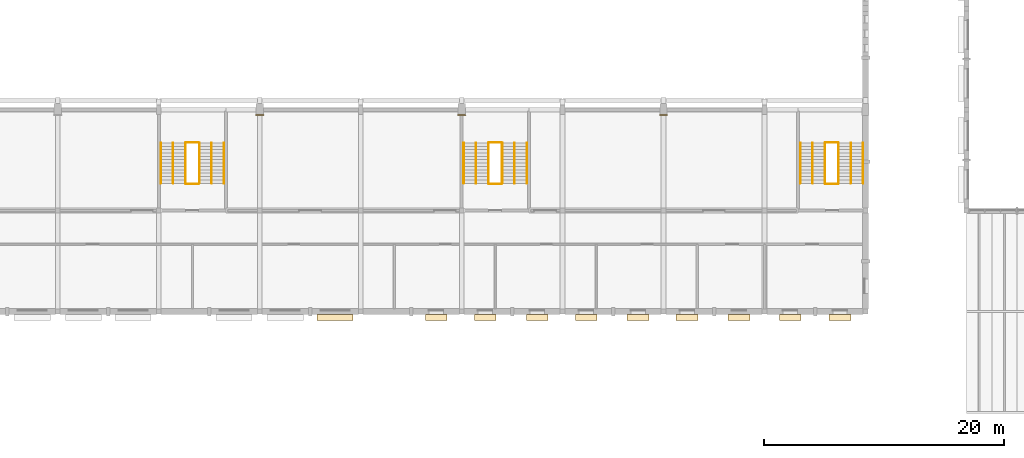
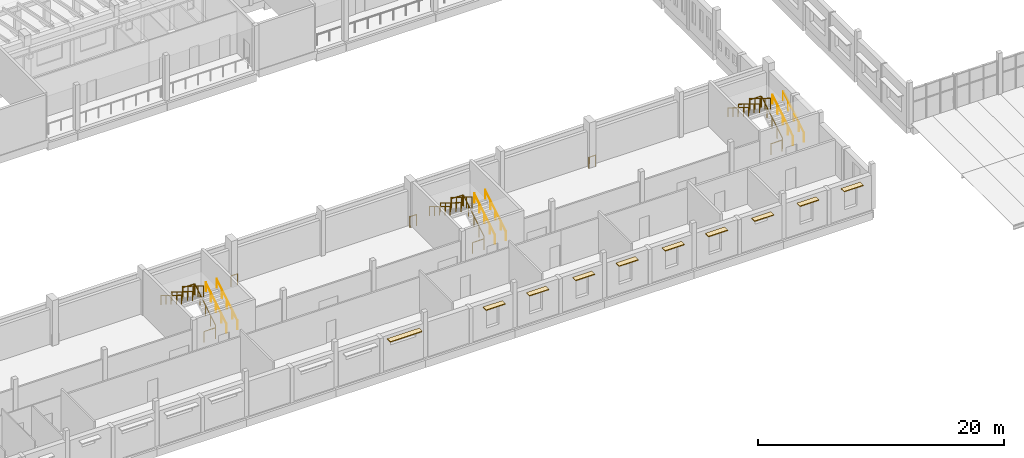
# One storey, part 53 of 60: 27 railings, 10 coverings.
"""IFC4 building model written with IfcOpenShell, lengths in metres."""

import ifcopenshell
import ifcopenshell.guid

model = None  # the IFC model being written
_history = None  # IfcOwnerHistory: only IFC2X3 demands one
_inside = {}  # id of a spatial element -> (the spatial element, [elements in it])
_under = {}  # id of a project, library or spatial element -> (it, [spatial elements below it])
_declared = {}  # id of a project -> (the project, [libraries it declares])
_typed = {}  # id of a type object -> (the type object, [elements of that type])
_made_of = {}  # id of a material, layer set ... -> (it, [elements and type objects made of it])


def new_model(schema):
    """Start an empty IFC model of exactly this schema.

    Asked for "IFC4X3", IfcOpenShell would pick the latest addendum, in which some entities
    have other attributes; the version numbers below select the first issue.
    IFC2X3 requires an IfcOwnerHistory on every rooted entity: one is made here for all.
    """
    global model, _history
    if schema == "IFC4X3":
        model = ifcopenshell.file(schema_version=(4, 3, 0, 0))
    else:
        model = ifcopenshell.file(schema=schema)
    _inside.clear()
    _under.clear()
    _declared.clear()
    _typed.clear()
    _made_of.clear()
    _history = None
    if model.schema == "IFC2X3":
        org = make("IfcOrganization", Name="unknown")
        user = make(
            "IfcPersonAndOrganization",
            ThePerson=make("IfcPerson", FamilyName="unknown"),
            TheOrganization=org,
        )
        app = make(
            "IfcApplication",
            ApplicationDeveloper=org,
            Version="unknown",
            ApplicationFullName="unknown",
            ApplicationIdentifier="unknown",
        )
        _history = make(
            "IfcOwnerHistory",
            OwningUser=user,
            OwningApplication=app,
            ChangeAction="ADDED",
            CreationDate=0,
        )
    return model


def make(cls, **values):
    """One entity of the class cls with the attributes given. An attribute that is None is left unset."""
    return model.create_entity(
        cls, **{name: value for name, value in values.items() if value is not None}
    )


def rooted(cls, **values):
    """An entity with a GlobalId (a new one), such as an element, a storey or a relation."""
    return make(cls, GlobalId=ifcopenshell.guid.new(), OwnerHistory=_history, **values)


def si_unit(unit_type, name, prefix=None):
    """IfcSIUnit, for example si_unit("LENGTHUNIT", "METRE", prefix="MILLI")."""
    return make("IfcSIUnit", UnitType=unit_type, Prefix=prefix, Name=name)


def assignment(units):
    """IfcUnitAssignment: the units of a project."""
    return None if units is None else make("IfcUnitAssignment", Units=units)


def point(xyz):
    """IfcCartesianPoint."""
    return None if xyz is None else make("IfcCartesianPoint", Coordinates=xyz)


def direction(xyz):
    """IfcDirection."""
    return None if xyz is None else make("IfcDirection", DirectionRatios=xyz)


def frame(location, z_axis=None, x_axis=None):
    """IfcAxis2Placement3D, a coordinate frame: its origin and axes. An axis left out is left unset."""
    return make(
        "IfcAxis2Placement3D",
        Location=point(location),
        Axis=direction(z_axis),
        RefDirection=direction(x_axis),
    )


def frame_2d(location, x_axis=None):
    """IfcAxis2Placement2D, a coordinate frame in the plane: its origin and x axis."""
    return make(
        "IfcAxis2Placement2D", Location=point(location), RefDirection=direction(x_axis)
    )


def origin():
    """The frame at (0, 0, 0) with its axes left unset."""
    return frame((0.0, 0.0, 0.0))


def origin_2d():
    """The frame at (0, 0) in the plane with its x axis left unset."""
    return frame_2d((0.0, 0.0))


def place(relative_to, where):
    """IfcLocalPlacement: puts the frame where relative to a parent placement (None: the world)."""
    return make(
        "IfcLocalPlacement", PlacementRelTo=relative_to, RelativePlacement=where
    )


def context(
    kind, dimensions, precision=None, world=None, true_north=None, identifier=None
):
    """IfcGeometricRepresentationContext, for example the 3D "Model" context."""
    return make(
        "IfcGeometricRepresentationContext",
        ContextIdentifier=identifier,
        ContextType=kind,
        CoordinateSpaceDimension=dimensions,
        Precision=precision,
        WorldCoordinateSystem=world,
        TrueNorth=true_north,
    )


def subcontext(parent, identifier, kind, view, scale=None):
    """IfcGeometricRepresentationSubContext, for example "Body" below "Model"."""
    return make(
        "IfcGeometricRepresentationSubContext",
        ContextIdentifier=identifier,
        ContextType=kind,
        ParentContext=parent,
        TargetScale=scale,
        TargetView=view,
    )


def project(units=None, contexts=None):
    """IfcProject with its units and contexts."""
    return rooted(
        "IfcProject",
        Name="project",
        RepresentationContexts=contexts,
        UnitsInContext=assignment(units),
    )


def spatial(cls, under=None, at=None, **own):
    """A site, building, storey or space (cls), placed at a placement, below another one or the project."""
    s = rooted(cls, ObjectPlacement=at, **own)
    if under is not None:
        _under.setdefault(under.id(), (under, []))[1].append(s)
    return s


def profile(cls, at=None, kind="AREA", **sizes):
    """A parametric profile (cls). Its sizes go by their IFC names, for example OverallWidth=200.0."""
    return make(cls, ProfileType=kind, Position=at, **sizes)


def rectangle(**sizes):
    """IfcRectangleProfileDef."""
    return profile("IfcRectangleProfileDef", **sizes)


def circle(**sizes):
    """IfcCircleProfileDef."""
    return profile("IfcCircleProfileDef", **sizes)


def extrude(swept, where, along, depth):
    """IfcExtrudedAreaSolid: the profile swept, set in the frame where, extruded along a direction by depth."""
    return make(
        "IfcExtrudedAreaSolid",
        SweptArea=swept,
        Position=where,
        ExtrudedDirection=direction(along),
        Depth=depth,
    )


def shape(context_of_items, identifier, shape_type, items):
    """IfcShapeRepresentation: the items that make up one representation, for example the "Body"."""
    return make(
        "IfcShapeRepresentation",
        ContextOfItems=context_of_items,
        RepresentationIdentifier=identifier,
        RepresentationType=shape_type,
        Items=items,
    )


def material(Name=None, Category=None):
    """IfcMaterial."""
    return make("IfcMaterial", Name=Name, Category=Category)


def layer(
    of_material, thickness, ventilated=None, Name=None, Category=None, Priority=None
):
    """IfcMaterialLayer: one layer of a wall or slab, of a material (None: an air gap)."""
    return make(
        "IfcMaterialLayer",
        Material=of_material,
        LayerThickness=thickness,
        IsVentilated=ventilated,
        Name=Name,
        Category=Category,
        Priority=Priority,
    )


def layer_set(layers, Name=None):
    """IfcMaterialLayerSet."""
    return make("IfcMaterialLayerSet", MaterialLayers=layers, LayerSetName=Name)


def made_of(thing, what):
    """Note that an element or type object is made of a material, layer set ...; save() writes the relation."""
    if what is not None:
        _made_of.setdefault(what.id(), (what, []))[1].append(thing)
    return thing


def type_object(cls, material=None, **own):
    """A type object (cls), such as IfcWallType, which elements share."""
    return made_of(rooted(cls, **own), material)


def element(
    cls,
    number,
    at=None,
    inside=None,
    cuts=None,
    type_object=None,
    material=None,
    context=None,
    identifier="Body",
    shape_type=None,
    held_by="IfcProductDefinitionShape",
    body=None,
    shapes=None,
    **own,
):
    """One element of the class cls, such as IfcWall. Its Tag is "e" and its number.

    at: its placement. inside: the storey or other place that contains it. cuts: it is an
    opening in that element (IfcRelVoidsElement). A single representation is given by context,
    identifier, shape_type and body (its items); several are given by shapes. held_by: the class
    of the entity that holds the representations. save() writes the other relations.
    """
    e = rooted(cls, Tag="e%d" % number, ObjectPlacement=at, **own)
    if body is not None:
        shapes = [shape(context, identifier, shape_type, body)]
    if shapes is not None:
        e.Representation = make(held_by, Representations=shapes)
    if inside is not None:
        _inside.setdefault(inside.id(), (inside, []))[1].append(e)
    if cuts is not None:
        rooted(
            "IfcRelVoidsElement", RelatingBuildingElement=cuts, RelatedOpeningElement=e
        )
    if type_object is not None:
        _typed.setdefault(type_object.id(), (type_object, []))[1].append(e)
    return made_of(e, material)


def aggregate(whole, parts):
    """IfcRelAggregates: a whole, such as a stair, and the parts it consists of."""
    return rooted("IfcRelAggregates", RelatingObject=whole, RelatedObjects=parts)


def save(model, path):
    """Write the relations noted so far, then the file.

    IfcRelAggregates (storeys below a building ...), IfcRelContainedInSpatialStructure (elements
    in a storey), IfcRelDefinesByType, IfcRelAssociatesMaterial and IfcRelDeclares: one each for
    every whole, place, type object, material and project.
    """
    for whole, parts in _under.values():
        aggregate(whole, parts)
    for where, things in _inside.values():
        rooted(
            "IfcRelContainedInSpatialStructure",
            RelatedElements=things,
            RelatingStructure=where,
        )
    for kind, things in _typed.values():
        rooted("IfcRelDefinesByType", RelatedObjects=things, RelatingType=kind)
    for what, things in _made_of.values():
        rooted("IfcRelAssociatesMaterial", RelatedObjects=things, RelatingMaterial=what)
    for by, libraries in _declared.values():
        rooted("IfcRelDeclares", RelatingContext=by, RelatedDefinitions=libraries)
    model.write(path)


model = new_model("IFC4")

# Units and contexts
model_context = context("Model", 3, precision=1e-05, world=origin(), true_north=direction((0.0, 1.0)))
body_context = subcontext(model_context, "Body", "Model", "MODEL_VIEW")
ifc_project = project(units=[si_unit("LENGTHUNIT", "METRE"), si_unit("AREAUNIT", "SQUARE_METRE"), si_unit("VOLUMEUNIT", "CUBIC_METRE"), si_unit("PLANEANGLEUNIT", "RADIAN"), si_unit("MASSUNIT", "GRAM", prefix="KILO")], contexts=[model_context])

# Site, building, storey
site_placement = place(None, origin())
site = spatial("IfcSite", under=ifc_project, at=site_placement, CompositionType="ELEMENT")
building_placement = place(site_placement, origin())
building = spatial("IfcBuilding", under=site, at=building_placement, Name="Fescue Hill Polytechnic", CompositionType="ELEMENT")
storey_placement = place(building_placement, frame((0.0, 0.0, 4.5)))
storey = spatial("IfcBuildingStorey", under=building, at=storey_placement, Name="L01", CompositionType="ELEMENT", Elevation=4.5)

# Coverings
ifc_material_1 = material(Name="Precast concrete C40/50", Category="concrete")
ifc_layer = layer(ifc_material_1, 0.080078125)
ifc_layer_set = layer_set([ifc_layer], Name="Precast concrete C40/50")
covering_type = type_object("IfcCoveringType", Name="Shade blade precast 500x80", PredefinedType="CLADDING", material=ifc_layer_set)
covering_placement = place(storey_placement, frame((73.47509765625, -0.489990234375, 3.050048828125), z_axis=(0.0, 0.0, 1.0), x_axis=(1.0, 0.0, 0.0)))
element("IfcCovering", 1, at=covering_placement, inside=storey, type_object=covering_type, Name="SB-L01-V1-18", PredefinedType="CLADDING", context=body_context, shape_type="SweptSolid", body=[
    extrude(rectangle(XDim=3.0, YDim=0.5, at=origin_2d()), origin(), (0.0, 0.0, 1.0), 0.080078125),
])
for number, where, z_axis, x_axis, name in (
    (2, (81.875, -0.489990234375, 3.050048828125), (0.0, 0.0, 1.0), (1.0, 0.0, 0.0), "SB-L01-V1-19"),
    (3, (85.949951171875, -0.489990234375, 3.050048828125), (0.0, 0.0, 1.0), (1.0, 0.0, 0.0), "SB-L01-V1-20"),
    (4, (90.27490234375, -0.489990234375, 3.050048828125), (0.0, 0.0, 1.0), (1.0, 0.0, 0.0), "SB-L01-V1-21"),
    (5, (94.35009765625, -0.489990234375, 3.050048828125), (0.0, 0.0, 1.0), (1.0, 0.0, 0.0), "SB-L01-V1-22"),
    (6, (98.675048828125, -0.489990234375, 3.050048828125), (0.0, 0.0, 1.0), (1.0, 0.0, 0.0), "SB-L01-V1-23"),
    (7, (102.75, -0.489990234375, 3.050048828125), (0.0, 0.0, 1.0), (1.0, 0.0, 0.0), "SB-L01-V1-24"),
    (8, (107.074951171875, -0.489990234375, 3.050048828125), (0.0, 0.0, 1.0), (1.0, 0.0, 0.0), "SB-L01-V1-25"),
    (9, (111.324951171875, -0.489990234375, 3.050048828125), (0.0, 0.0, 1.0), (1.0, 0.0, 0.0), "SB-L01-V1-26"),
    (10, (115.47509765625, -0.489990234375, 3.050048828125), (0.0, 0.0, 1.0), (1.0, 0.0, 0.0), "SB-L01-V1-27"),
):
    element("IfcCovering", number, at=place(storey_placement, frame(where, z_axis=z_axis, x_axis=x_axis)), inside=storey, type_object=covering_type, Name=name, PredefinedType="CLADDING", context=body_context, shape_type="SweptSolid", body=[
        extrude(rectangle(XDim=1.800048828125, YDim=0.5, at=origin_2d()), origin(), (0.0, 0.0, 1.0), 0.080078125),
    ])

# Railings
ifc_material_2 = material(Name="Steel 350W (350 MPa)", Category="steel")
railing_type_1 = type_object("IfcRailingType", Name="Stair guard steel 1100", PredefinedType="GUARDRAIL", material=ifc_material_2)
railing_1_placement = place(storey_placement, frame((62.175048828125, 10.675048828125, 0.173095703125)))
element("IfcRailing", 11, at=railing_1_placement, inside=storey, type_object=railing_type_1, Name="L01 ST-V1-3 stair guard 1", PredefinedType="GUARDRAIL", context=body_context, shape_type="SweptSolid", body=[
    extrude(circle(Radius=0.02392578125, at=origin_2d()), frame((0.0, 0.0, 1.076171875), z_axis=(0.0, 0.850606129759, 0.525803396734), x_axis=(-1.0, 0.0, 0.0)), (0.0, 0.0, 1.0), 3.949951171875),
    extrude(circle(Radius=0.02099609375, at=origin_2d()), origin(), (0.0, 0.0, 1.0), 1.052001953125),
    extrude(circle(Radius=0.02099609375, at=origin_2d()), frame((0.0, 0.83984375, 0.519287109375)), (0.0, 0.0, 1.0), 1.052001953125),
    extrude(circle(Radius=0.02099609375, at=origin_2d()), frame((0.0, 1.679931640625, 1.03857421875)), (0.0, 0.0, 1.0), 1.052001953125),
    extrude(circle(Radius=0.02099609375, at=origin_2d()), frame((0.0, 2.52001953125, 1.5576171875)), (0.0, 0.0, 1.0), 1.052001953125),
    extrude(circle(Radius=0.02099609375, at=origin_2d()), frame((0.0, 3.35986328125, 2.076904296875)), (0.0, 0.0, 1.0), 1.052001953125),
])
railing_2_placement = place(storey_placement, frame((62.125, 14.0849609375, 2.25)))
element("IfcRailing", 12, at=railing_2_placement, inside=storey, type_object=railing_type_1, Name="L01 ST-V1-3 stair guard 2", PredefinedType="GUARDRAIL", context=body_context, shape_type="SweptSolid", body=[
    extrude(circle(Radius=0.02392578125, at=origin_2d()), frame((0.0, 0.0, 1.076171875), z_axis=(-1.0, 0.0, 0.0), x_axis=(0.0, -1.0, 0.0)), (0.0, 0.0, 1.0), 1.050048828125),
    extrude(circle(Radius=0.02099609375, at=origin_2d()), origin(), (0.0, 0.0, 1.0), 1.052001953125),
    extrude(circle(Radius=0.02099609375, at=origin_2d()), frame((-1.050048828125, 0.0, 0.0)), (0.0, 0.0, 1.0), 1.052001953125),
])
railing_3_placement = place(storey_placement, frame((61.02490234375, 14.034912109375, 2.423095703125)))
element("IfcRailing", 13, at=railing_3_placement, inside=storey, type_object=railing_type_1, Name="L01 ST-V1-3 stair guard 3", PredefinedType="GUARDRAIL", context=body_context, shape_type="SweptSolid", body=[
    extrude(circle(Radius=0.02392578125, at=origin_2d()), frame((0.0, 0.0, 1.076171875), z_axis=(0.0, -0.850606129759, 0.525803396734), x_axis=(1.0, 0.0, 0.0)), (0.0, 0.0, 1.0), 3.949951171875),
    extrude(circle(Radius=0.02099609375, at=origin_2d()), origin(), (0.0, 0.0, 1.0), 1.052001953125),
    extrude(circle(Radius=0.02099609375, at=origin_2d()), frame((0.0, -0.83984375, 0.519287109375)), (0.0, 0.0, 1.0), 1.052001953125),
    extrude(circle(Radius=0.02099609375, at=origin_2d()), frame((0.0, -1.679931640625, 1.03857421875)), (0.0, 0.0, 1.0), 1.052001953125),
    extrude(circle(Radius=0.02099609375, at=origin_2d()), frame((0.0, -2.52001953125, 1.5576171875)), (0.0, 0.0, 1.0), 1.052001953125),
    extrude(circle(Radius=0.02099609375, at=origin_2d()), frame((0.0, -3.35986328125, 2.076904296875)), (0.0, 0.0, 1.0), 1.052001953125),
])
railing_4_placement = place(storey_placement, frame((62.125, 10.625, 0.0)))
element("IfcRailing", 14, at=railing_4_placement, inside=storey, type_object=railing_type_1, Name="L01 ST-V1-3 stair guard 4", PredefinedType="GUARDRAIL", context=body_context, shape_type="SweptSolid", body=[
    extrude(circle(Radius=0.02392578125, at=origin_2d()), frame((0.0, 0.0, 1.076171875), z_axis=(-1.0, 0.0, 0.0), x_axis=(0.0, -1.0, 0.0)), (0.0, 0.0, 1.0), 1.050048828125),
    extrude(circle(Radius=0.02099609375, at=origin_2d()), origin(), (0.0, 0.0, 1.0), 1.052001953125),
    extrude(circle(Radius=0.02099609375, at=origin_2d()), frame((-1.050048828125, 0.0, 0.0)), (0.0, 0.0, 1.0), 1.052001953125),
])
railing_5_placement = place(storey_placement, frame((87.375, 10.675048828125, 0.173095703125)))
element("IfcRailing", 15, at=railing_5_placement, inside=storey, type_object=railing_type_1, Name="L01 ST-V1-4 stair guard 1", PredefinedType="GUARDRAIL", context=body_context, shape_type="SweptSolid", body=[
    extrude(circle(Radius=0.02392578125, at=origin_2d()), frame((0.0, 0.0, 1.076171875), z_axis=(0.0, 0.850606129759, 0.525803396734), x_axis=(-1.0, 0.0, 0.0)), (0.0, 0.0, 1.0), 3.949951171875),
    extrude(circle(Radius=0.02099609375, at=origin_2d()), origin(), (0.0, 0.0, 1.0), 1.052001953125),
    extrude(circle(Radius=0.02099609375, at=origin_2d()), frame((0.0, 0.83984375, 0.519287109375)), (0.0, 0.0, 1.0), 1.052001953125),
    extrude(circle(Radius=0.02099609375, at=origin_2d()), frame((0.0, 1.679931640625, 1.03857421875)), (0.0, 0.0, 1.0), 1.052001953125),
    extrude(circle(Radius=0.02099609375, at=origin_2d()), frame((0.0, 2.52001953125, 1.5576171875)), (0.0, 0.0, 1.0), 1.052001953125),
    extrude(circle(Radius=0.02099609375, at=origin_2d()), frame((0.0, 3.35986328125, 2.076904296875)), (0.0, 0.0, 1.0), 1.052001953125),
])
railing_6_placement = place(storey_placement, frame((87.324951171875, 14.0849609375, 2.25)))
element("IfcRailing", 16, at=railing_6_placement, inside=storey, type_object=railing_type_1, Name="L01 ST-V1-4 stair guard 2", PredefinedType="GUARDRAIL", context=body_context, shape_type="SweptSolid", body=[
    extrude(circle(Radius=0.02392578125, at=origin_2d()), frame((0.0, 0.0, 1.076171875), z_axis=(-1.0, 0.0, 0.0), x_axis=(0.0, -1.0, 0.0)), (0.0, 0.0, 1.0), 1.050048828125),
    extrude(circle(Radius=0.02099609375, at=origin_2d()), origin(), (0.0, 0.0, 1.0), 1.052001953125),
    extrude(circle(Radius=0.02099609375, at=origin_2d()), frame((-1.050048828125, 0.0, 0.0)), (0.0, 0.0, 1.0), 1.052001953125),
])
railing_7_placement = place(storey_placement, frame((86.22509765625, 14.034912109375, 2.423095703125)))
element("IfcRailing", 17, at=railing_7_placement, inside=storey, type_object=railing_type_1, Name="L01 ST-V1-4 stair guard 3", PredefinedType="GUARDRAIL", context=body_context, shape_type="SweptSolid", body=[
    extrude(circle(Radius=0.02392578125, at=origin_2d()), frame((0.0, 0.0, 1.076171875), z_axis=(0.0, -0.850606129759, 0.525803396734), x_axis=(1.0, 0.0, 0.0)), (0.0, 0.0, 1.0), 3.949951171875),
    extrude(circle(Radius=0.02099609375, at=origin_2d()), origin(), (0.0, 0.0, 1.0), 1.052001953125),
    extrude(circle(Radius=0.02099609375, at=origin_2d()), frame((0.0, -0.83984375, 0.519287109375)), (0.0, 0.0, 1.0), 1.052001953125),
    extrude(circle(Radius=0.02099609375, at=origin_2d()), frame((0.0, -1.679931640625, 1.03857421875)), (0.0, 0.0, 1.0), 1.052001953125),
    extrude(circle(Radius=0.02099609375, at=origin_2d()), frame((0.0, -2.52001953125, 1.5576171875)), (0.0, 0.0, 1.0), 1.052001953125),
    extrude(circle(Radius=0.02099609375, at=origin_2d()), frame((0.0, -3.35986328125, 2.076904296875)), (0.0, 0.0, 1.0), 1.052001953125),
])
railing_8_placement = place(storey_placement, frame((87.324951171875, 10.625, 0.0)))
element("IfcRailing", 18, at=railing_8_placement, inside=storey, type_object=railing_type_1, Name="L01 ST-V1-4 stair guard 4", PredefinedType="GUARDRAIL", context=body_context, shape_type="SweptSolid", body=[
    extrude(circle(Radius=0.02392578125, at=origin_2d()), frame((0.0, 0.0, 1.076171875), z_axis=(-1.0, 0.0, 0.0), x_axis=(0.0, -1.0, 0.0)), (0.0, 0.0, 1.0), 1.050048828125),
    extrude(circle(Radius=0.02099609375, at=origin_2d()), origin(), (0.0, 0.0, 1.0), 1.052001953125),
    extrude(circle(Radius=0.02099609375, at=origin_2d()), frame((-1.050048828125, 0.0, 0.0)), (0.0, 0.0, 1.0), 1.052001953125),
])
railing_9_placement = place(storey_placement, frame((115.35009765625, 10.675048828125, 0.173095703125)))
element("IfcRailing", 19, at=railing_9_placement, inside=storey, type_object=railing_type_1, Name="L01 ST-V1-10 stair guard 1", PredefinedType="GUARDRAIL", context=body_context, shape_type="SweptSolid", body=[
    extrude(circle(Radius=0.02392578125, at=origin_2d()), frame((0.0, 0.0, 1.076171875), z_axis=(0.0, 0.850606129759, 0.525803396734), x_axis=(-1.0, 0.0, 0.0)), (0.0, 0.0, 1.0), 3.949951171875),
    extrude(circle(Radius=0.02099609375, at=origin_2d()), origin(), (0.0, 0.0, 1.0), 1.052001953125),
    extrude(circle(Radius=0.02099609375, at=origin_2d()), frame((0.0, 0.83984375, 0.519287109375)), (0.0, 0.0, 1.0), 1.052001953125),
    extrude(circle(Radius=0.02099609375, at=origin_2d()), frame((0.0, 1.679931640625, 1.03857421875)), (0.0, 0.0, 1.0), 1.052001953125),
    extrude(circle(Radius=0.02099609375, at=origin_2d()), frame((0.0, 2.52001953125, 1.5576171875)), (0.0, 0.0, 1.0), 1.052001953125),
    extrude(circle(Radius=0.02099609375, at=origin_2d()), frame((0.0, 3.35986328125, 2.076904296875)), (0.0, 0.0, 1.0), 1.052001953125),
])
railing_10_placement = place(storey_placement, frame((115.300048828125, 14.0849609375, 2.25)))
element("IfcRailing", 20, at=railing_10_placement, inside=storey, type_object=railing_type_1, Name="L01 ST-V1-10 stair guard 2", PredefinedType="GUARDRAIL", context=body_context, shape_type="SweptSolid", body=[
    extrude(circle(Radius=0.02392578125, at=origin_2d()), frame((0.0, 0.0, 1.076171875), z_axis=(-1.0, 0.0, 0.0), x_axis=(0.0, -1.0, 0.0)), (0.0, 0.0, 1.0), 1.025146484375),
    extrude(circle(Radius=0.02099609375, at=origin_2d()), origin(), (0.0, 0.0, 1.0), 1.052001953125),
    extrude(circle(Radius=0.02099609375, at=origin_2d()), frame((-1.025146484375, 0.0, 0.0)), (0.0, 0.0, 1.0), 1.052001953125),
])
railing_11_placement = place(storey_placement, frame((114.22509765625, 14.034912109375, 2.423095703125)))
element("IfcRailing", 21, at=railing_11_placement, inside=storey, type_object=railing_type_1, Name="L01 ST-V1-10 stair guard 3", PredefinedType="GUARDRAIL", context=body_context, shape_type="SweptSolid", body=[
    extrude(circle(Radius=0.02392578125, at=origin_2d()), frame((0.0, 0.0, 1.076171875), z_axis=(0.0, -0.850606129759, 0.525803396734), x_axis=(1.0, 0.0, 0.0)), (0.0, 0.0, 1.0), 3.949951171875),
    extrude(circle(Radius=0.02099609375, at=origin_2d()), origin(), (0.0, 0.0, 1.0), 1.052001953125),
    extrude(circle(Radius=0.02099609375, at=origin_2d()), frame((0.0, -0.83984375, 0.519287109375)), (0.0, 0.0, 1.0), 1.052001953125),
    extrude(circle(Radius=0.02099609375, at=origin_2d()), frame((0.0, -1.679931640625, 1.03857421875)), (0.0, 0.0, 1.0), 1.052001953125),
    extrude(circle(Radius=0.02099609375, at=origin_2d()), frame((0.0, -2.52001953125, 1.5576171875)), (0.0, 0.0, 1.0), 1.052001953125),
    extrude(circle(Radius=0.02099609375, at=origin_2d()), frame((0.0, -3.35986328125, 2.076904296875)), (0.0, 0.0, 1.0), 1.052001953125),
])
railing_12_placement = place(storey_placement, frame((115.300048828125, 10.625, 0.0)))
element("IfcRailing", 22, at=railing_12_placement, inside=storey, type_object=railing_type_1, Name="L01 ST-V1-10 stair guard 4", PredefinedType="GUARDRAIL", context=body_context, shape_type="SweptSolid", body=[
    extrude(circle(Radius=0.02392578125, at=origin_2d()), frame((0.0, 0.0, 1.076171875), z_axis=(-1.0, 0.0, 0.0), x_axis=(0.0, -1.0, 0.0)), (0.0, 0.0, 1.0), 1.025146484375),
    extrude(circle(Radius=0.02099609375, at=origin_2d()), origin(), (0.0, 0.0, 1.0), 1.052001953125),
    extrude(circle(Radius=0.02099609375, at=origin_2d()), frame((-1.025146484375, 0.0, 0.0)), (0.0, 0.0, 1.0), 1.052001953125),
])
railing_type_2 = type_object("IfcRailingType", Name="Stair handrail steel 900", PredefinedType="HANDRAIL", material=ifc_material_2)
railing_13_placement = place(storey_placement, frame((64.22509765625, 10.675048828125, 0.173095703125)))
element("IfcRailing", 23, at=railing_13_placement, inside=storey, type_object=railing_type_2, Name="L01 ST-V1-3 stair handrail 1", PredefinedType="HANDRAIL", context=body_context, shape_type="SweptSolid", body=[
    extrude(circle(Radius=0.02392578125, at=origin_2d()), frame((0.0, 0.0, 0.8759765625), z_axis=(0.0, 0.850606129759, 0.525803396734), x_axis=(-1.0, 0.0, 0.0)), (0.0, 0.0, 1.0), 3.949951171875),
    extrude(circle(Radius=0.02099609375, at=origin_2d()), origin(), (0.0, 0.0, 1.0), 0.851806640625),
    extrude(circle(Radius=0.02099609375, at=origin_2d()), frame((0.0, 0.83984375, 0.519287109375)), (0.0, 0.0, 1.0), 0.851806640625),
    extrude(circle(Radius=0.02099609375, at=origin_2d()), frame((0.0, 1.679931640625, 1.03857421875)), (0.0, 0.0, 1.0), 0.851806640625),
    extrude(circle(Radius=0.02099609375, at=origin_2d()), frame((0.0, 2.52001953125, 1.5576171875)), (0.0, 0.0, 1.0), 0.851806640625),
    extrude(circle(Radius=0.02099609375, at=origin_2d()), frame((0.0, 3.35986328125, 2.076904296875)), (0.0, 0.0, 1.0), 0.851806640625),
])
railing_14_placement = place(storey_placement, frame((58.97509765625, 14.034912109375, 2.423095703125)))
element("IfcRailing", 24, at=railing_14_placement, inside=storey, type_object=railing_type_2, Name="L01 ST-V1-3 stair handrail 2", PredefinedType="HANDRAIL", context=body_context, shape_type="SweptSolid", body=[
    extrude(circle(Radius=0.02392578125, at=origin_2d()), frame((0.0, 0.0, 0.8759765625), z_axis=(0.0, -0.850606129759, 0.525803396734), x_axis=(1.0, 0.0, 0.0)), (0.0, 0.0, 1.0), 3.949951171875),
    extrude(circle(Radius=0.02099609375, at=origin_2d()), origin(), (0.0, 0.0, 1.0), 0.851806640625),
    extrude(circle(Radius=0.02099609375, at=origin_2d()), frame((0.0, -0.83984375, 0.519287109375)), (0.0, 0.0, 1.0), 0.851806640625),
    extrude(circle(Radius=0.02099609375, at=origin_2d()), frame((0.0, -1.679931640625, 1.03857421875)), (0.0, 0.0, 1.0), 0.851806640625),
    extrude(circle(Radius=0.02099609375, at=origin_2d()), frame((0.0, -2.52001953125, 1.5576171875)), (0.0, 0.0, 1.0), 0.851806640625),
    extrude(circle(Radius=0.02099609375, at=origin_2d()), frame((0.0, -3.35986328125, 2.076904296875)), (0.0, 0.0, 1.0), 0.851806640625),
])
railing_15_placement = place(storey_placement, frame((63.199951171875, 10.675048828125, 0.173095703125)))
element("IfcRailing", 25, at=railing_15_placement, inside=storey, type_object=railing_type_2, Name="L01 ST-V1-3 stair handrail 3", PredefinedType="HANDRAIL", context=body_context, shape_type="SweptSolid", body=[
    extrude(circle(Radius=0.02392578125, at=origin_2d()), frame((0.0, 0.0, 0.8759765625), z_axis=(0.0, 0.850606129759, 0.525803396734), x_axis=(-1.0, 0.0, 0.0)), (0.0, 0.0, 1.0), 3.949951171875),
    extrude(circle(Radius=0.02099609375, at=origin_2d()), origin(), (0.0, 0.0, 1.0), 0.851806640625),
    extrude(circle(Radius=0.02099609375, at=origin_2d()), frame((0.0, 0.83984375, 0.519287109375)), (0.0, 0.0, 1.0), 0.851806640625),
    extrude(circle(Radius=0.02099609375, at=origin_2d()), frame((0.0, 1.679931640625, 1.03857421875)), (0.0, 0.0, 1.0), 0.851806640625),
    extrude(circle(Radius=0.02099609375, at=origin_2d()), frame((0.0, 2.52001953125, 1.5576171875)), (0.0, 0.0, 1.0), 0.851806640625),
    extrude(circle(Radius=0.02099609375, at=origin_2d()), frame((0.0, 3.35986328125, 2.076904296875)), (0.0, 0.0, 1.0), 0.851806640625),
])
railing_16_placement = place(storey_placement, frame((60.0, 14.034912109375, 2.423095703125)))
element("IfcRailing", 26, at=railing_16_placement, inside=storey, type_object=railing_type_2, Name="L01 ST-V1-3 stair handrail 4", PredefinedType="HANDRAIL", context=body_context, shape_type="SweptSolid", body=[
    extrude(circle(Radius=0.02392578125, at=origin_2d()), frame((0.0, 0.0, 0.8759765625), z_axis=(0.0, -0.850606129759, 0.525803396734), x_axis=(1.0, 0.0, 0.0)), (0.0, 0.0, 1.0), 3.949951171875),
    extrude(circle(Radius=0.02099609375, at=origin_2d()), origin(), (0.0, 0.0, 1.0), 0.851806640625),
    extrude(circle(Radius=0.02099609375, at=origin_2d()), frame((0.0, -0.83984375, 0.519287109375)), (0.0, 0.0, 1.0), 0.851806640625),
    extrude(circle(Radius=0.02099609375, at=origin_2d()), frame((0.0, -1.679931640625, 1.03857421875)), (0.0, 0.0, 1.0), 0.851806640625),
    extrude(circle(Radius=0.02099609375, at=origin_2d()), frame((0.0, -2.52001953125, 1.5576171875)), (0.0, 0.0, 1.0), 0.851806640625),
    extrude(circle(Radius=0.02099609375, at=origin_2d()), frame((0.0, -3.35986328125, 2.076904296875)), (0.0, 0.0, 1.0), 0.851806640625),
])
railing_17_placement = place(storey_placement, frame((89.425048828125, 10.675048828125, 0.173095703125)))
element("IfcRailing", 27, at=railing_17_placement, inside=storey, type_object=railing_type_2, Name="L01 ST-V1-4 stair handrail 1", PredefinedType="HANDRAIL", context=body_context, shape_type="SweptSolid", body=[
    extrude(circle(Radius=0.02392578125, at=origin_2d()), frame((0.0, 0.0, 0.8759765625), z_axis=(0.0, 0.850606129759, 0.525803396734), x_axis=(-1.0, 0.0, 0.0)), (0.0, 0.0, 1.0), 3.949951171875),
    extrude(circle(Radius=0.02099609375, at=origin_2d()), origin(), (0.0, 0.0, 1.0), 0.851806640625),
    extrude(circle(Radius=0.02099609375, at=origin_2d()), frame((0.0, 0.83984375, 0.519287109375)), (0.0, 0.0, 1.0), 0.851806640625),
    extrude(circle(Radius=0.02099609375, at=origin_2d()), frame((0.0, 1.679931640625, 1.03857421875)), (0.0, 0.0, 1.0), 0.851806640625),
    extrude(circle(Radius=0.02099609375, at=origin_2d()), frame((0.0, 2.52001953125, 1.5576171875)), (0.0, 0.0, 1.0), 0.851806640625),
    extrude(circle(Radius=0.02099609375, at=origin_2d()), frame((0.0, 3.35986328125, 2.076904296875)), (0.0, 0.0, 1.0), 0.851806640625),
])
railing_18_placement = place(storey_placement, frame((84.175048828125, 14.034912109375, 2.423095703125)))
element("IfcRailing", 28, at=railing_18_placement, inside=storey, type_object=railing_type_2, Name="L01 ST-V1-4 stair handrail 2", PredefinedType="HANDRAIL", context=body_context, shape_type="SweptSolid", body=[
    extrude(circle(Radius=0.02392578125, at=origin_2d()), frame((0.0, 0.0, 0.8759765625), z_axis=(0.0, -0.850606129759, 0.525803396734), x_axis=(1.0, 0.0, 0.0)), (0.0, 0.0, 1.0), 3.949951171875),
    extrude(circle(Radius=0.02099609375, at=origin_2d()), origin(), (0.0, 0.0, 1.0), 0.851806640625),
    extrude(circle(Radius=0.02099609375, at=origin_2d()), frame((0.0, -0.83984375, 0.519287109375)), (0.0, 0.0, 1.0), 0.851806640625),
    extrude(circle(Radius=0.02099609375, at=origin_2d()), frame((0.0, -1.679931640625, 1.03857421875)), (0.0, 0.0, 1.0), 0.851806640625),
    extrude(circle(Radius=0.02099609375, at=origin_2d()), frame((0.0, -2.52001953125, 1.5576171875)), (0.0, 0.0, 1.0), 0.851806640625),
    extrude(circle(Radius=0.02099609375, at=origin_2d()), frame((0.0, -3.35986328125, 2.076904296875)), (0.0, 0.0, 1.0), 0.851806640625),
])
railing_19_placement = place(storey_placement, frame((88.39990234375, 10.675048828125, 0.173095703125)))
element("IfcRailing", 29, at=railing_19_placement, inside=storey, type_object=railing_type_2, Name="L01 ST-V1-4 stair handrail 3", PredefinedType="HANDRAIL", context=body_context, shape_type="SweptSolid", body=[
    extrude(circle(Radius=0.02392578125, at=origin_2d()), frame((0.0, 0.0, 0.8759765625), z_axis=(0.0, 0.850606129759, 0.525803396734), x_axis=(-1.0, 0.0, 0.0)), (0.0, 0.0, 1.0), 3.949951171875),
    extrude(circle(Radius=0.02099609375, at=origin_2d()), origin(), (0.0, 0.0, 1.0), 0.851806640625),
    extrude(circle(Radius=0.02099609375, at=origin_2d()), frame((0.0, 0.83984375, 0.519287109375)), (0.0, 0.0, 1.0), 0.851806640625),
    extrude(circle(Radius=0.02099609375, at=origin_2d()), frame((0.0, 1.679931640625, 1.03857421875)), (0.0, 0.0, 1.0), 0.851806640625),
    extrude(circle(Radius=0.02099609375, at=origin_2d()), frame((0.0, 2.52001953125, 1.5576171875)), (0.0, 0.0, 1.0), 0.851806640625),
    extrude(circle(Radius=0.02099609375, at=origin_2d()), frame((0.0, 3.35986328125, 2.076904296875)), (0.0, 0.0, 1.0), 0.851806640625),
])
railing_20_placement = place(storey_placement, frame((85.199951171875, 14.034912109375, 2.423095703125)))
element("IfcRailing", 30, at=railing_20_placement, inside=storey, type_object=railing_type_2, Name="L01 ST-V1-4 stair handrail 4", PredefinedType="HANDRAIL", context=body_context, shape_type="SweptSolid", body=[
    extrude(circle(Radius=0.02392578125, at=origin_2d()), frame((0.0, 0.0, 0.8759765625), z_axis=(0.0, -0.850606129759, 0.525803396734), x_axis=(1.0, 0.0, 0.0)), (0.0, 0.0, 1.0), 3.949951171875),
    extrude(circle(Radius=0.02099609375, at=origin_2d()), origin(), (0.0, 0.0, 1.0), 0.851806640625),
    extrude(circle(Radius=0.02099609375, at=origin_2d()), frame((0.0, -0.83984375, 0.519287109375)), (0.0, 0.0, 1.0), 0.851806640625),
    extrude(circle(Radius=0.02099609375, at=origin_2d()), frame((0.0, -1.679931640625, 1.03857421875)), (0.0, 0.0, 1.0), 0.851806640625),
    extrude(circle(Radius=0.02099609375, at=origin_2d()), frame((0.0, -2.52001953125, 1.5576171875)), (0.0, 0.0, 1.0), 0.851806640625),
    extrude(circle(Radius=0.02099609375, at=origin_2d()), frame((0.0, -3.35986328125, 2.076904296875)), (0.0, 0.0, 1.0), 0.851806640625),
])
railing_21_placement = place(storey_placement, frame((117.39990234375, 10.675048828125, 0.173095703125)))
element("IfcRailing", 31, at=railing_21_placement, inside=storey, type_object=railing_type_2, Name="L01 ST-V1-10 stair handrail 1", PredefinedType="HANDRAIL", context=body_context, shape_type="SweptSolid", body=[
    extrude(circle(Radius=0.02392578125, at=origin_2d()), frame((0.0, 0.0, 0.8759765625), z_axis=(0.0, 0.850606129759, 0.525803396734), x_axis=(-1.0, 0.0, 0.0)), (0.0, 0.0, 1.0), 3.949951171875),
    extrude(circle(Radius=0.02099609375, at=origin_2d()), origin(), (0.0, 0.0, 1.0), 0.851806640625),
    extrude(circle(Radius=0.02099609375, at=origin_2d()), frame((0.0, 0.83984375, 0.519287109375)), (0.0, 0.0, 1.0), 0.851806640625),
    extrude(circle(Radius=0.02099609375, at=origin_2d()), frame((0.0, 1.679931640625, 1.03857421875)), (0.0, 0.0, 1.0), 0.851806640625),
    extrude(circle(Radius=0.02099609375, at=origin_2d()), frame((0.0, 2.52001953125, 1.5576171875)), (0.0, 0.0, 1.0), 0.851806640625),
    extrude(circle(Radius=0.02099609375, at=origin_2d()), frame((0.0, 3.35986328125, 2.076904296875)), (0.0, 0.0, 1.0), 0.851806640625),
])
railing_22_placement = place(storey_placement, frame((112.175048828125, 14.034912109375, 2.423095703125)))
element("IfcRailing", 32, at=railing_22_placement, inside=storey, type_object=railing_type_2, Name="L01 ST-V1-10 stair handrail 2", PredefinedType="HANDRAIL", context=body_context, shape_type="SweptSolid", body=[
    extrude(circle(Radius=0.02392578125, at=origin_2d()), frame((0.0, 0.0, 0.8759765625), z_axis=(0.0, -0.850606129759, 0.525803396734), x_axis=(1.0, 0.0, 0.0)), (0.0, 0.0, 1.0), 3.949951171875),
    extrude(circle(Radius=0.02099609375, at=origin_2d()), origin(), (0.0, 0.0, 1.0), 0.851806640625),
    extrude(circle(Radius=0.02099609375, at=origin_2d()), frame((0.0, -0.83984375, 0.519287109375)), (0.0, 0.0, 1.0), 0.851806640625),
    extrude(circle(Radius=0.02099609375, at=origin_2d()), frame((0.0, -1.679931640625, 1.03857421875)), (0.0, 0.0, 1.0), 0.851806640625),
    extrude(circle(Radius=0.02099609375, at=origin_2d()), frame((0.0, -2.52001953125, 1.5576171875)), (0.0, 0.0, 1.0), 0.851806640625),
    extrude(circle(Radius=0.02099609375, at=origin_2d()), frame((0.0, -3.35986328125, 2.076904296875)), (0.0, 0.0, 1.0), 0.851806640625),
])
railing_23_placement = place(storey_placement, frame((116.375, 10.675048828125, 0.173095703125)))
element("IfcRailing", 33, at=railing_23_placement, inside=storey, type_object=railing_type_2, Name="L01 ST-V1-10 stair handrail 3", PredefinedType="HANDRAIL", context=body_context, shape_type="SweptSolid", body=[
    extrude(circle(Radius=0.02392578125, at=origin_2d()), frame((0.0, 0.0, 0.8759765625), z_axis=(0.0, 0.850606129759, 0.525803396734), x_axis=(-1.0, 0.0, 0.0)), (0.0, 0.0, 1.0), 3.949951171875),
    extrude(circle(Radius=0.02099609375, at=origin_2d()), origin(), (0.0, 0.0, 1.0), 0.851806640625),
    extrude(circle(Radius=0.02099609375, at=origin_2d()), frame((0.0, 0.83984375, 0.519287109375)), (0.0, 0.0, 1.0), 0.851806640625),
    extrude(circle(Radius=0.02099609375, at=origin_2d()), frame((0.0, 1.679931640625, 1.03857421875)), (0.0, 0.0, 1.0), 0.851806640625),
    extrude(circle(Radius=0.02099609375, at=origin_2d()), frame((0.0, 2.52001953125, 1.5576171875)), (0.0, 0.0, 1.0), 0.851806640625),
    extrude(circle(Radius=0.02099609375, at=origin_2d()), frame((0.0, 3.35986328125, 2.076904296875)), (0.0, 0.0, 1.0), 0.851806640625),
])
railing_24_placement = place(storey_placement, frame((113.199951171875, 14.034912109375, 2.423095703125)))
element("IfcRailing", 34, at=railing_24_placement, inside=storey, type_object=railing_type_2, Name="L01 ST-V1-10 stair handrail 4", PredefinedType="HANDRAIL", context=body_context, shape_type="SweptSolid", body=[
    extrude(circle(Radius=0.02392578125, at=origin_2d()), frame((0.0, 0.0, 0.8759765625), z_axis=(0.0, -0.850606129759, 0.525803396734), x_axis=(1.0, 0.0, 0.0)), (0.0, 0.0, 1.0), 3.949951171875),
    extrude(circle(Radius=0.02099609375, at=origin_2d()), origin(), (0.0, 0.0, 1.0), 0.851806640625),
    extrude(circle(Radius=0.02099609375, at=origin_2d()), frame((0.0, -0.83984375, 0.519287109375)), (0.0, 0.0, 1.0), 0.851806640625),
    extrude(circle(Radius=0.02099609375, at=origin_2d()), frame((0.0, -1.679931640625, 1.03857421875)), (0.0, 0.0, 1.0), 0.851806640625),
    extrude(circle(Radius=0.02099609375, at=origin_2d()), frame((0.0, -2.52001953125, 1.5576171875)), (0.0, 0.0, 1.0), 0.851806640625),
    extrude(circle(Radius=0.02099609375, at=origin_2d()), frame((0.0, -3.35986328125, 2.076904296875)), (0.0, 0.0, 1.0), 0.851806640625),
])
railing_type_3 = type_object("IfcRailingType", Name="Void edge guard steel 1100", PredefinedType="GUARDRAIL", material=ifc_material_2)
for number, where, name in (
    (35, (101.10009765625, 16.35009765625, 0.0), "L01 V1 void edge guard 1"),
    (36, (84.300048828125, 16.35009765625, 0.0), "L01 V1 void edge guard 2"),
    (37, (67.5, 16.35009765625, 0.0), "L01 V1 void edge guard 3"),
):
    element("IfcRailing", number, at=place(storey_placement, frame(where)), inside=storey, type_object=railing_type_3, Name=name, PredefinedType="GUARDRAIL", context=body_context, shape_type="SweptSolid", body=[
        extrude(circle(Radius=0.02392578125, at=origin_2d()), frame((0.0, 0.0, 1.076171875), z_axis=(-1.0, 0.0, 0.0), x_axis=(0.0, -1.0, 0.0)), (0.0, 0.0, 1.0), 0.60009765625),
        extrude(circle(Radius=0.02099609375, at=origin_2d()), origin(), (0.0, 0.0, 1.0), 1.052001953125),
        extrude(circle(Radius=0.02099609375, at=origin_2d()), frame((-0.60009765625, 0.0, 0.0)), (0.0, 0.0, 1.0), 1.052001953125),
    ])

save(model, "model.ifc")
